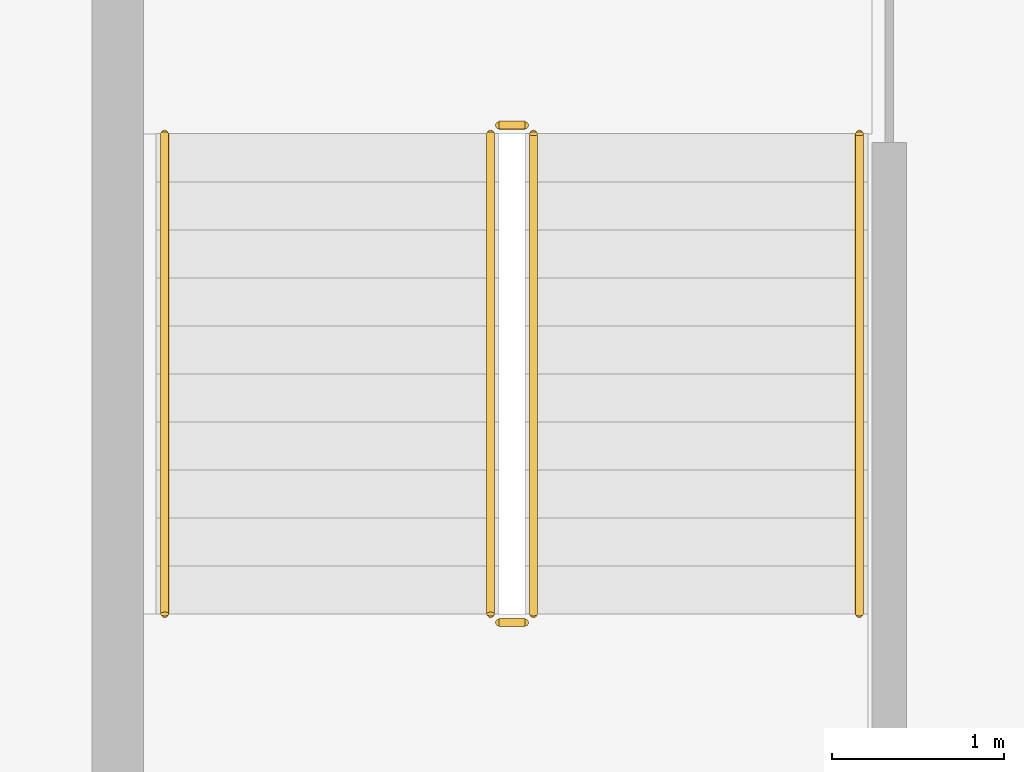
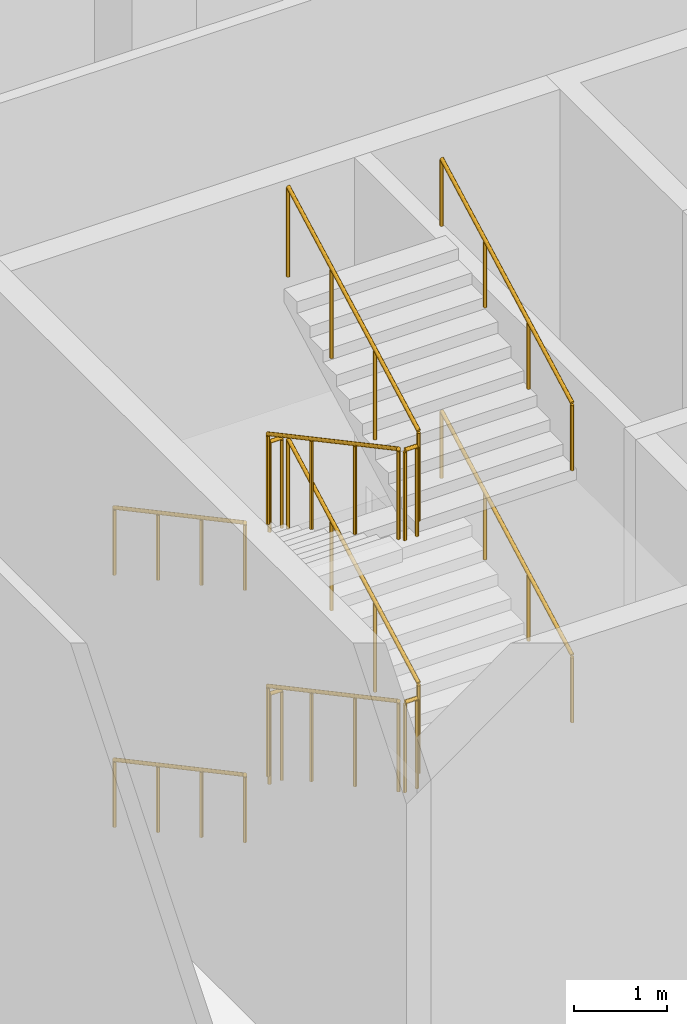
# One storey, part 22 of 26: 12 railings.
"""IFC4 building model written with IfcOpenShell, lengths in metres."""

from ifc_helpers import new_model, si_unit, direction, frame, origin, origin_2d, place, context, subcontext, project, spatial, circle, extrude, material, type_object, element, save


model = new_model("IFC4")

# Units and contexts
model_context = context("Model", 3, precision=1e-05, world=origin(), true_north=direction((0.0, 1.0)))
body_context = subcontext(model_context, "Body", "Model", "MODEL_VIEW")
ifc_project = project(units=[si_unit("LENGTHUNIT", "METRE"), si_unit("AREAUNIT", "SQUARE_METRE"), si_unit("VOLUMEUNIT", "CUBIC_METRE"), si_unit("PLANEANGLEUNIT", "RADIAN"), si_unit("MASSUNIT", "GRAM", prefix="KILO")], contexts=[model_context])

# Site, building, storey
site_placement = place(None, origin())
site = spatial("IfcSite", under=ifc_project, at=site_placement, CompositionType="ELEMENT")
building_placement = place(site_placement, origin())
building = spatial("IfcBuilding", under=site, at=building_placement, Name="Caravel Reach Hotel and Residences", CompositionType="ELEMENT")
storey_placement = place(building_placement, frame((0.0, 0.0, 17.39990234375)))
storey = spatial("IfcBuildingStorey", under=building, at=storey_placement, Name="L03", CompositionType="ELEMENT", Elevation=17.39990234375)

# Railings
ifc_material_1 = material(Name="Steel balustrade with glass infill", Category="steel")
railing_type_1 = type_object("IfcRailingType", Name="Guard 1200", PredefinedType="GUARDRAIL", material=ifc_material_1)
railing_1_placement = place(storey_placement, frame((20.175048828125, 29.35009765625, 0.150146484375)))
element("IfcRailing", 1, at=railing_1_placement, inside=storey, type_object=railing_type_1, Name="L03 ST-A stair guard 1", PredefinedType="GUARDRAIL", context=body_context, shape_type="SweptSolid", body=[
    extrude(circle(Radius=0.02392578125, at=origin_2d()), frame((0.0, 0.0, 1.17578125), z_axis=(0.0, -0.881483397762, 0.472215014025), x_axis=(1.0, 0.0, 0.0)), (0.0, 0.0, 1.0), 3.176513671875),
    extrude(circle(Radius=0.02099609375, at=origin_2d()), origin(), (0.0, 0.0, 1.0), 1.15185546875),
    extrude(circle(Radius=0.02099609375, at=origin_2d()), frame((0.0, -0.933349609375, 0.5)), (0.0, 0.0, 1.0), 1.15185546875),
    extrude(circle(Radius=0.02099609375, at=origin_2d()), frame((0.0, -1.86669921875, 1.0)), (0.0, 0.0, 1.0), 1.15185546875),
    extrude(circle(Radius=0.02099609375, at=origin_2d()), frame((0.0, -2.800048828125, 1.5)), (0.0, 0.0, 1.0), 1.15185546875),
])
railing_2_placement = place(storey_placement, frame((20.22509765625, 26.5, 1.650146484375)))
element("IfcRailing", 2, at=railing_2_placement, inside=storey, type_object=railing_type_1, Name="L03 ST-A stair guard 2", PredefinedType="GUARDRAIL", context=body_context, shape_type="SweptSolid", body=[
    extrude(circle(Radius=0.02392578125, at=origin_2d()), frame((0.0, 0.0, 1.17578125), z_axis=(1.0, 0.0, 0.0), x_axis=(0.0, 1.0, 0.0)), (0.0, 0.0, 1.0), 0.14990234375),
    extrude(circle(Radius=0.02099609375, at=origin_2d()), origin(), (0.0, 0.0, 1.0), 1.15185546875),
    extrude(circle(Radius=0.02099609375, at=origin_2d()), frame((0.14990234375, 0.0, 0.0)), (0.0, 0.0, 1.0), 1.15185546875),
])
railing_3_placement = place(storey_placement, frame((20.425048828125, 26.550048828125, 1.800048828125)))
element("IfcRailing", 3, at=railing_3_placement, inside=storey, type_object=railing_type_1, Name="L03 ST-A stair guard 3", PredefinedType="GUARDRAIL", context=body_context, shape_type="SweptSolid", body=[
    extrude(circle(Radius=0.02392578125, at=origin_2d()), frame((0.0, 0.0, 1.17578125), z_axis=(0.0, 0.881483397762, 0.472215014025), x_axis=(-1.0, 0.0, 0.0)), (0.0, 0.0, 1.0), 3.176513671875),
    extrude(circle(Radius=0.02099609375, at=origin_2d()), origin(), (0.0, 0.0, 1.0), 1.15185546875),
    extrude(circle(Radius=0.02099609375, at=origin_2d()), frame((0.0, 0.933349609375, 0.5)), (0.0, 0.0, 1.0), 1.15185546875),
    extrude(circle(Radius=0.02099609375, at=origin_2d()), frame((0.0, 1.86669921875, 1.0)), (0.0, 0.0, 1.0), 1.15185546875),
    extrude(circle(Radius=0.02099609375, at=origin_2d()), frame((0.0, 2.800048828125, 1.5)), (0.0, 0.0, 1.0), 1.15185546875),
])
railing_4_placement = place(storey_placement, frame((20.22509765625, 29.39990234375, 3.300048828125)))
element("IfcRailing", 4, at=railing_4_placement, inside=storey, type_object=railing_type_1, Name="L03 ST-A stair guard 4", PredefinedType="GUARDRAIL", context=body_context, shape_type="SweptSolid", body=[
    extrude(circle(Radius=0.02392578125, at=origin_2d()), frame((0.0, 0.0, 1.17578125), z_axis=(1.0, 0.0, 0.0), x_axis=(0.0, 1.0, 0.0)), (0.0, 0.0, 1.0), 0.14990234375),
    extrude(circle(Radius=0.02099609375, at=origin_2d()), origin(), (0.0, 0.0, 1.0), 1.15185546875),
    extrude(circle(Radius=0.02099609375, at=origin_2d()), frame((0.14990234375, 0.0, 0.0)), (0.0, 0.0, 1.0), 1.15185546875),
])
railing_5_placement = place(storey_placement, frame((20.175048828125, 29.35009765625, 3.4501953125)))
element("IfcRailing", 5, at=railing_5_placement, inside=storey, type_object=railing_type_1, Name="L03 ST-A stair guard 5", PredefinedType="GUARDRAIL", context=body_context, shape_type="SweptSolid", body=[
    extrude(circle(Radius=0.02392578125, at=origin_2d()), frame((0.0, 0.0, 1.17578125), z_axis=(0.0, -0.881483397762, 0.472215014025), x_axis=(1.0, 0.0, 0.0)), (0.0, 0.0, 1.0), 3.176513671875),
    extrude(circle(Radius=0.02099609375, at=origin_2d()), origin(), (0.0, 0.0, 1.0), 1.15185546875),
    extrude(circle(Radius=0.02099609375, at=origin_2d()), frame((0.0, -0.933349609375, 0.5)), (0.0, 0.0, 1.0), 1.15185546875),
    extrude(circle(Radius=0.02099609375, at=origin_2d()), frame((0.0, -1.86669921875, 1.0)), (0.0, 0.0, 1.0), 1.15185546875),
    extrude(circle(Radius=0.02099609375, at=origin_2d()), frame((0.0, -2.800048828125, 1.5)), (0.0, 0.0, 1.0), 1.15185546875),
])
railing_6_placement = place(storey_placement, frame((20.22509765625, 26.5, 4.9501953125)))
element("IfcRailing", 6, at=railing_6_placement, inside=storey, type_object=railing_type_1, Name="L03 ST-A stair guard 6", PredefinedType="GUARDRAIL", context=body_context, shape_type="SweptSolid", body=[
    extrude(circle(Radius=0.02392578125, at=origin_2d()), frame((0.0, 0.0, 1.17578125), z_axis=(1.0, 0.0, 0.0), x_axis=(0.0, 1.0, 0.0)), (0.0, 0.0, 1.0), 0.14990234375),
    extrude(circle(Radius=0.02099609375, at=origin_2d()), origin(), (0.0, 0.0, 1.0), 1.15185546875),
    extrude(circle(Radius=0.02099609375, at=origin_2d()), frame((0.14990234375, 0.0, 0.0)), (0.0, 0.0, 1.0), 1.15185546875),
])
railing_7_placement = place(storey_placement, frame((20.425048828125, 26.550048828125, 5.10009765625)))
element("IfcRailing", 7, at=railing_7_placement, inside=storey, type_object=railing_type_1, Name="L03 ST-A stair guard 7", PredefinedType="GUARDRAIL", context=body_context, shape_type="SweptSolid", body=[
    extrude(circle(Radius=0.02392578125, at=origin_2d()), frame((0.0, 0.0, 1.17578125), z_axis=(0.0, 0.881483397762, 0.472215014025), x_axis=(-1.0, 0.0, 0.0)), (0.0, 0.0, 1.0), 3.176513671875),
    extrude(circle(Radius=0.02099609375, at=origin_2d()), origin(), (0.0, 0.0, 1.0), 1.15185546875),
    extrude(circle(Radius=0.02099609375, at=origin_2d()), frame((0.0, 0.933349609375, 0.5)), (0.0, 0.0, 1.0), 1.15185546875),
    extrude(circle(Radius=0.02099609375, at=origin_2d()), frame((0.0, 1.86669921875, 1.0)), (0.0, 0.0, 1.0), 1.15185546875),
    extrude(circle(Radius=0.02099609375, at=origin_2d()), frame((0.0, 2.800048828125, 1.5)), (0.0, 0.0, 1.0), 1.15185546875),
])
railing_8_placement = place(storey_placement, frame((20.22509765625, 29.39990234375, 0.0)))
element("IfcRailing", 8, at=railing_8_placement, inside=storey, type_object=railing_type_1, Name="L03 ST-A stair guard 8", PredefinedType="GUARDRAIL", context=body_context, shape_type="SweptSolid", body=[
    extrude(circle(Radius=0.02392578125, at=origin_2d()), frame((0.0, 0.0, 1.17578125), z_axis=(1.0, 0.0, 0.0), x_axis=(0.0, 1.0, 0.0)), (0.0, 0.0, 1.0), 0.14990234375),
    extrude(circle(Radius=0.02099609375, at=origin_2d()), origin(), (0.0, 0.0, 1.0), 1.15185546875),
    extrude(circle(Radius=0.02099609375, at=origin_2d()), frame((0.14990234375, 0.0, 0.0)), (0.0, 0.0, 1.0), 1.15185546875),
])
ifc_material_2 = material(Name="Stainless steel handrail", Category="steel")
railing_type_2 = type_object("IfcRailingType", Name="Handrail 900", PredefinedType="HANDRAIL", material=ifc_material_2)
railing_9_placement = place(storey_placement, frame((18.27490234375, 29.35009765625, 0.150146484375)))
element("IfcRailing", 9, at=railing_9_placement, inside=storey, type_object=railing_type_2, Name="L03 ST-A stair handrail 1", PredefinedType="HANDRAIL", context=body_context, shape_type="SweptSolid", body=[
    extrude(circle(Radius=0.02392578125, at=origin_2d()), frame((0.0, 0.0, 0.8759765625), z_axis=(0.0, -0.881483397762, 0.472215014025), x_axis=(1.0, 0.0, 0.0)), (0.0, 0.0, 1.0), 3.176513671875),
    extrude(circle(Radius=0.02099609375, at=origin_2d()), origin(), (0.0, 0.0, 1.0), 0.851806640625),
    extrude(circle(Radius=0.02099609375, at=origin_2d()), frame((0.0, -0.933349609375, 0.5)), (0.0, 0.0, 1.0), 0.851806640625),
    extrude(circle(Radius=0.02099609375, at=origin_2d()), frame((0.0, -1.86669921875, 1.0)), (0.0, 0.0, 1.0), 0.851806640625),
    extrude(circle(Radius=0.02099609375, at=origin_2d()), frame((0.0, -2.800048828125, 1.5)), (0.0, 0.0, 1.0), 0.851806640625),
])
railing_10_placement = place(storey_placement, frame((22.324951171875, 26.550048828125, 1.800048828125)))
element("IfcRailing", 10, at=railing_10_placement, inside=storey, type_object=railing_type_2, Name="L03 ST-A stair handrail 2", PredefinedType="HANDRAIL", context=body_context, shape_type="SweptSolid", body=[
    extrude(circle(Radius=0.02392578125, at=origin_2d()), frame((0.0, 0.0, 0.8759765625), z_axis=(0.0, 0.881483397762, 0.472215014025), x_axis=(-1.0, 0.0, 0.0)), (0.0, 0.0, 1.0), 3.176513671875),
    extrude(circle(Radius=0.02099609375, at=origin_2d()), origin(), (0.0, 0.0, 1.0), 0.851806640625),
    extrude(circle(Radius=0.02099609375, at=origin_2d()), frame((0.0, 0.933349609375, 0.5)), (0.0, 0.0, 1.0), 0.851806640625),
    extrude(circle(Radius=0.02099609375, at=origin_2d()), frame((0.0, 1.86669921875, 1.0)), (0.0, 0.0, 1.0), 0.851806640625),
    extrude(circle(Radius=0.02099609375, at=origin_2d()), frame((0.0, 2.800048828125, 1.5)), (0.0, 0.0, 1.0), 0.851806640625),
])
railing_11_placement = place(storey_placement, frame((18.27490234375, 29.35009765625, 3.4501953125)))
element("IfcRailing", 11, at=railing_11_placement, inside=storey, type_object=railing_type_2, Name="L03 ST-A stair handrail 3", PredefinedType="HANDRAIL", context=body_context, shape_type="SweptSolid", body=[
    extrude(circle(Radius=0.02392578125, at=origin_2d()), frame((0.0, 0.0, 0.8759765625), z_axis=(0.0, -0.881483397762, 0.472215014025), x_axis=(1.0, 0.0, 0.0)), (0.0, 0.0, 1.0), 3.176513671875),
    extrude(circle(Radius=0.02099609375, at=origin_2d()), origin(), (0.0, 0.0, 1.0), 0.851806640625),
    extrude(circle(Radius=0.02099609375, at=origin_2d()), frame((0.0, -0.933349609375, 0.5)), (0.0, 0.0, 1.0), 0.851806640625),
    extrude(circle(Radius=0.02099609375, at=origin_2d()), frame((0.0, -1.86669921875, 1.0)), (0.0, 0.0, 1.0), 0.851806640625),
    extrude(circle(Radius=0.02099609375, at=origin_2d()), frame((0.0, -2.800048828125, 1.5)), (0.0, 0.0, 1.0), 0.851806640625),
])
railing_12_placement = place(storey_placement, frame((22.324951171875, 26.550048828125, 5.10009765625)))
element("IfcRailing", 12, at=railing_12_placement, inside=storey, type_object=railing_type_2, Name="L03 ST-A stair handrail 4", PredefinedType="HANDRAIL", context=body_context, shape_type="SweptSolid", body=[
    extrude(circle(Radius=0.02392578125, at=origin_2d()), frame((0.0, 0.0, 0.8759765625), z_axis=(0.0, 0.881483397762, 0.472215014025), x_axis=(-1.0, 0.0, 0.0)), (0.0, 0.0, 1.0), 3.176513671875),
    extrude(circle(Radius=0.02099609375, at=origin_2d()), origin(), (0.0, 0.0, 1.0), 0.851806640625),
    extrude(circle(Radius=0.02099609375, at=origin_2d()), frame((0.0, 0.933349609375, 0.5)), (0.0, 0.0, 1.0), 0.851806640625),
    extrude(circle(Radius=0.02099609375, at=origin_2d()), frame((0.0, 1.86669921875, 1.0)), (0.0, 0.0, 1.0), 0.851806640625),
    extrude(circle(Radius=0.02099609375, at=origin_2d()), frame((0.0, 2.800048828125, 1.5)), (0.0, 0.0, 1.0), 0.851806640625),
])

save(model, "model.ifc")
